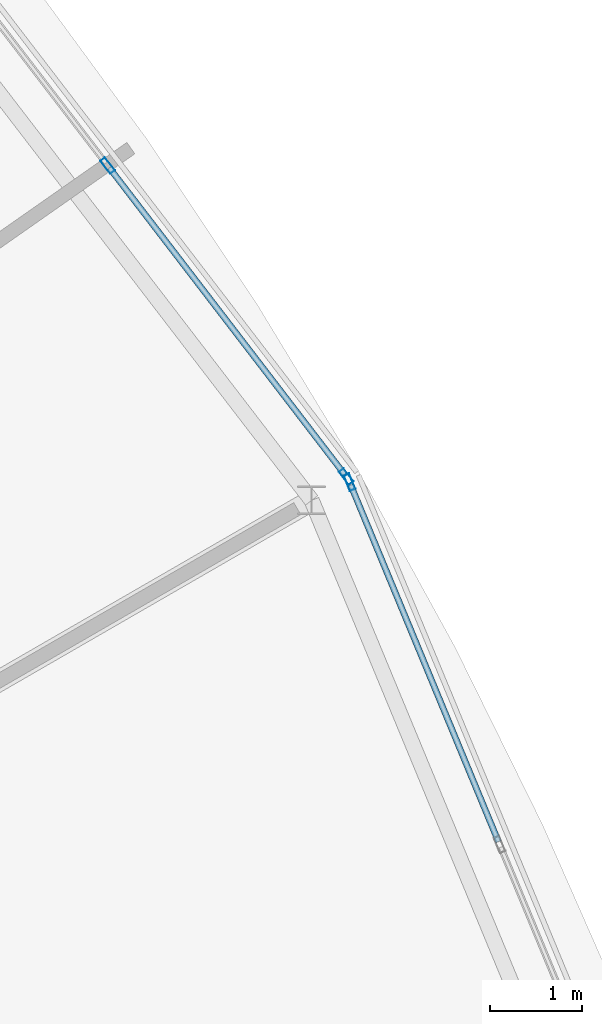
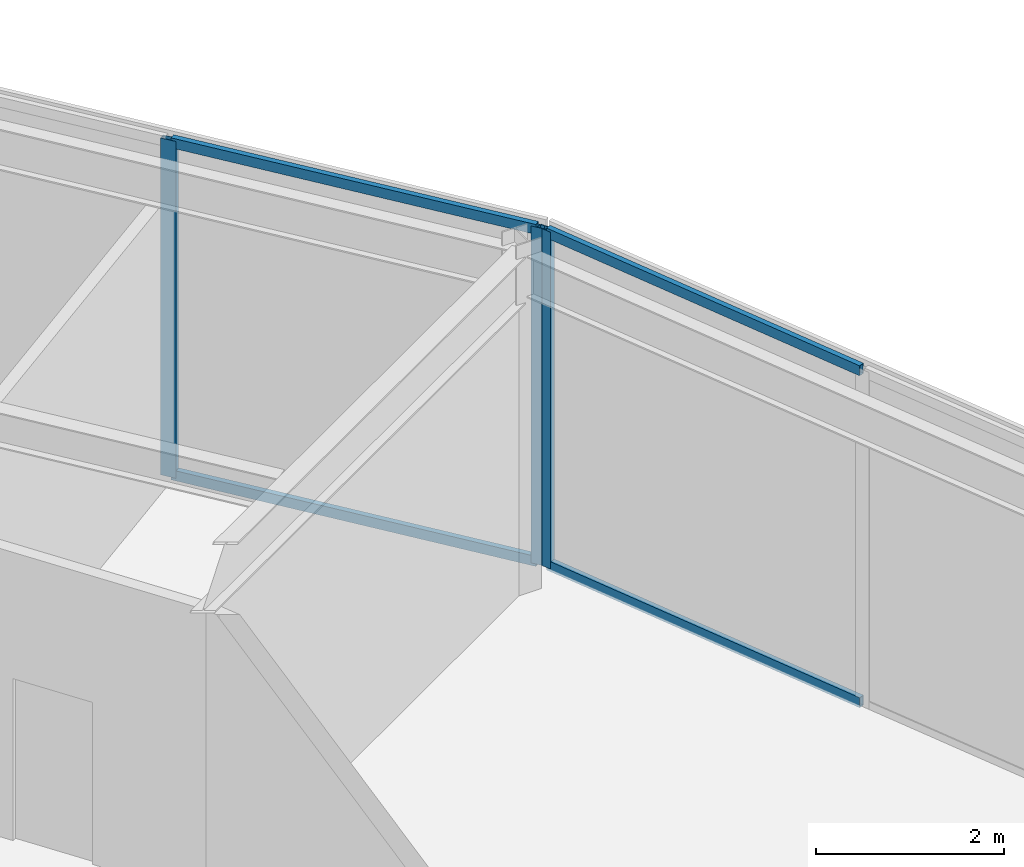
# One storey, part 57 of 116: 7 members, 2 elements without a shape of their own.
"""IFC4 building model written with IfcOpenShell, lengths in metres."""

from ifc_helpers import new_model, si_unit, direction, frame, origin, origin_2d, place, context, subcontext, project, spatial, hollow_rectangle, extrude, material, material_profile, profile_set, type_object, element, aggregate, save


model = new_model("IFC4")

# Units and contexts
model_context = context("Model", 3, precision=1e-05, world=origin(), true_north=direction((0.0, 1.0)))
body_context = subcontext(model_context, "Body", "Model", "MODEL_VIEW")
ifc_project = project(units=[si_unit("LENGTHUNIT", "METRE"), si_unit("AREAUNIT", "SQUARE_METRE"), si_unit("VOLUMEUNIT", "CUBIC_METRE"), si_unit("PLANEANGLEUNIT", "RADIAN"), si_unit("MASSUNIT", "GRAM", prefix="KILO")], contexts=[model_context])

# Site, building, storey
site_placement = place(None, origin())
site = spatial("IfcSite", under=ifc_project, at=site_placement, CompositionType="ELEMENT")
building_placement = place(site_placement, origin())
building = spatial("IfcBuilding", under=site, at=building_placement, Name="Almandine Court Research Institute", CompositionType="ELEMENT")
storey_placement = place(building_placement, frame((0.0, 0.0, 14.35009765625)))
storey = spatial("IfcBuildingStorey", under=building, at=storey_placement, Name="L03", CompositionType="ELEMENT", Elevation=14.35009765625)

# Curtain wall, member
ifc_material_1 = material(Name="Unitised Curtain Wall Framing and Solar Glazing", Category="glass")
curtain_wall_type = type_object("IfcCurtainWallType", Name="CW-CWJ-19", PredefinedType="USERDEFINED", material=ifc_material_1)
curtain_wall_1_placement = place(storey_placement, origin())
curtain_wall_1 = element("IfcCurtainWall", 1, at=curtain_wall_1_placement, inside=storey, type_object=curtain_wall_type, Name="L03 Stacked-Ring Drum Outer Solar Jali Screen 01", ObjectType="SOLAR JALI SCREEN", PredefinedType="USERDEFINED")
ifc_material_2 = material(Name="Anodised Aluminium AW-6063-T6", Category="aluminium")
ifc_material_profile_1 = material_profile(ifc_material_2, hollow_rectangle(XDim=0.06494140625, YDim=0.179931640625, WallThickness=0.00390625, at=origin_2d()), Name="ALU RHS 65x180x4")
ifc_profile_set_1 = profile_set([ifc_material_profile_1], Name="Anodised Aluminium AW-6063-T6")
member_type_1 = type_object("IfcMemberType", Name="CWMul-65x180", PredefinedType="MULLION", material=ifc_profile_set_1)
member_1_placement = place(storey_placement, frame((129.761474609375, 80.64697265625, 0.0), z_axis=(0.0, 0.0, 1.0), x_axis=(0.923888124321, 0.382662689242, 0.0)))
member_1 = element("IfcMember", 2, at=member_1_placement, type_object=member_type_1, Name="CWJ-19 mullion 1", PredefinedType="MULLION", context=body_context, shape_type="SweptSolid", body=[
    extrude(hollow_rectangle(XDim=0.06494140625, YDim=0.179931640625, WallThickness=0.00390625, at=origin_2d()), origin(), (0.0, 0.0, 1.0), 4.369873046875),
])

# Curtain wall, members
curtain_wall_2_placement = place(storey_placement, origin())
curtain_wall_2 = element("IfcCurtainWall", 3, at=curtain_wall_2_placement, inside=storey, type_object=curtain_wall_type, Name="L03 Stacked-Ring Drum Outer Solar Jali Screen 02", ObjectType="SOLAR JALI SCREEN", PredefinedType="USERDEFINED")
member_2_placement = place(storey_placement, frame((127.132080078125, 84.088623046875, 0.0), z_axis=(0.0, 0.0, 1.0), x_axis=(0.793382586046, 0.608723313303, 0.0)))
member_2 = element("IfcMember", 4, at=member_2_placement, type_object=member_type_1, Name="CWJ-19 mullion 3", PredefinedType="MULLION", context=body_context, shape_type="SweptSolid", body=[
    extrude(hollow_rectangle(XDim=0.06494140625, YDim=0.179931640625, WallThickness=0.00390625, at=origin_2d()), origin(), (0.0, 0.0, 1.0), 4.369873046875),
])
member_3_placement = place(storey_placement, frame((129.72509765625, 80.708740234375, 0.0), z_axis=(0.0, 0.0, 1.0), x_axis=(0.793382586046, 0.608723313303, 0.0)))
member_3 = element("IfcMember", 5, at=member_3_placement, type_object=member_type_1, Name="CWJ-19 mullion 4", PredefinedType="MULLION", context=body_context, shape_type="SweptSolid", body=[
    extrude(hollow_rectangle(XDim=0.06494140625, YDim=0.179931640625, WallThickness=0.00390625, at=origin_2d()), origin(), (0.0, 0.0, 1.0), 4.369873046875),
])

# Member
ifc_material_profile_2 = material_profile(ifc_material_2, hollow_rectangle(XDim=0.06494140625, YDim=0.1298828125, WallThickness=0.00390625, at=origin_2d()), Name="ALU RHS 65x130x4")
ifc_profile_set_2 = profile_set([ifc_material_profile_2], Name="Anodised Aluminium AW-6063-T6")
member_type_2 = type_object("IfcMemberType", Name="CWTrn-65x130", PredefinedType="NOTDEFINED", material=ifc_profile_set_2)
member_4_placement = place(storey_placement, frame((129.77392578125, 80.616943359375, 0.032470703125), z_axis=(0.382631051398, -0.923901227679, 0.0), x_axis=(0.923901227679, 0.382631051398, 0.0)))
member_4 = element("IfcMember", 6, at=member_4_placement, type_object=member_type_2, Name="CWJ-19 transom 1.1", ObjectType="TRANSOM", PredefinedType="USERDEFINED", context=body_context, shape_type="SweptSolid", body=[
    extrude(hollow_rectangle(XDim=0.06494140625, YDim=0.1298828125, WallThickness=0.00390625, at=origin_2d()), origin(), (0.0, 0.0, 1.0), 4.1953125),
])

member_5_placement = place(storey_placement, frame((129.77392578125, 80.616943359375, 4.33740234375), z_axis=(0.382631051398, -0.923901227679, 0.0), x_axis=(0.923901227679, 0.382631051398, 0.0)))
member_5 = element("IfcMember", 7, at=member_5_placement, type_object=member_type_2, Name="CWJ-19 transom 1.2", ObjectType="TRANSOM", PredefinedType="USERDEFINED", context=body_context, shape_type="SweptSolid", body=[
    extrude(hollow_rectangle(XDim=0.06494140625, YDim=0.1298828125, WallThickness=0.00390625, at=origin_2d()), origin(), (0.0, 0.0, 1.0), 4.1953125),
])

aggregate(curtain_wall_1, [member_1, member_4, member_5])

member_6_placement = place(storey_placement, frame((127.15185546875, 84.06298828125, 0.032470703125), z_axis=(0.608689308041, -0.793408675449, 0.0), x_axis=(0.793408675449, 0.608689308041, 0.0)))
member_6 = element("IfcMember", 8, at=member_6_placement, type_object=member_type_2, Name="CWJ-19 transom 3.1", ObjectType="TRANSOM", PredefinedType="USERDEFINED", context=body_context, shape_type="SweptSolid", body=[
    extrude(hollow_rectangle(XDim=0.06494140625, YDim=0.1298828125, WallThickness=0.00390625, at=origin_2d()), origin(), (0.0, 0.0, 1.0), 4.195068359375),
])

member_7_placement = place(storey_placement, frame((127.15185546875, 84.06298828125, 4.33740234375), z_axis=(0.608689308041, -0.793408675449, 0.0), x_axis=(0.793408675449, 0.608689308041, 0.0)))
member_7 = element("IfcMember", 9, at=member_7_placement, type_object=member_type_2, Name="CWJ-19 transom 3.2", ObjectType="TRANSOM", PredefinedType="USERDEFINED", context=body_context, shape_type="SweptSolid", body=[
    extrude(hollow_rectangle(XDim=0.06494140625, YDim=0.1298828125, WallThickness=0.00390625, at=origin_2d()), origin(), (0.0, 0.0, 1.0), 4.195068359375),
])

aggregate(curtain_wall_2, [member_2, member_3, member_6, member_7])

save(model, "model.ifc")
